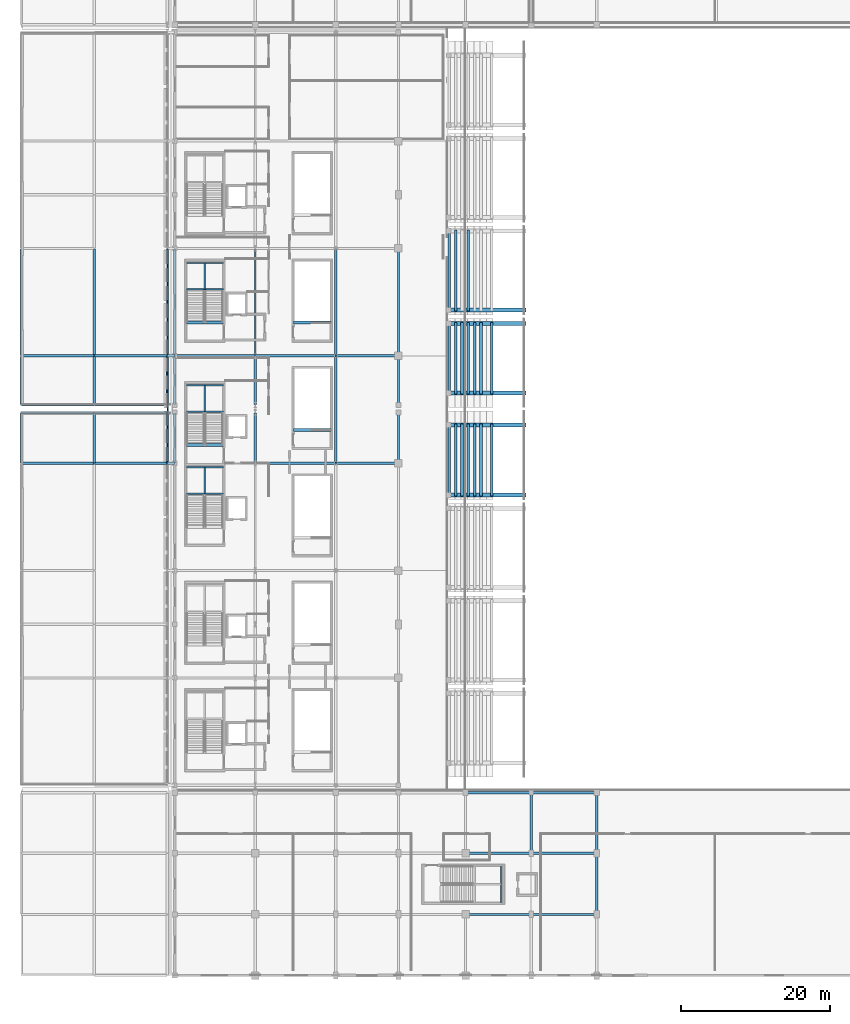
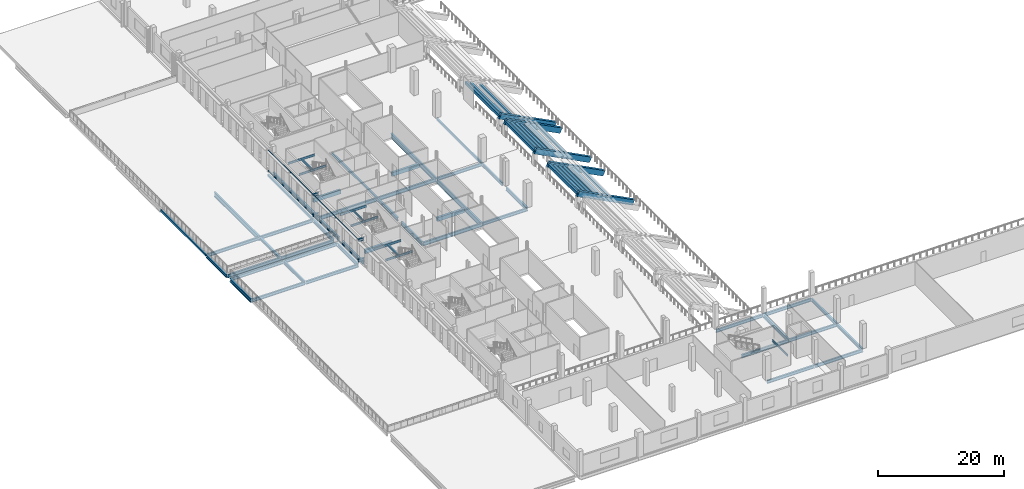
# One storey, part 15 of 74: 82 beams, 4 members.
"""IFC4 building model written with IfcOpenShell, lengths in metres."""

from ifc_helpers import new_model, si_unit, direction, frame, origin, origin_2d, place, context, subcontext, project, spatial, rectangle, hollow_rectangle, i_section, extrude, material, material_profile, profile_set, type_object, element, save


model = new_model("IFC4")

# Units and contexts
model_context = context("Model", 3, precision=1e-05, world=origin(), true_north=direction((0.0, 1.0)))
body_context = subcontext(model_context, "Body", "Model", "MODEL_VIEW")
ifc_project = project(units=[si_unit("LENGTHUNIT", "METRE"), si_unit("AREAUNIT", "SQUARE_METRE"), si_unit("VOLUMEUNIT", "CUBIC_METRE"), si_unit("PLANEANGLEUNIT", "RADIAN"), si_unit("MASSUNIT", "GRAM", prefix="KILO")], contexts=[model_context])

# Site, building, storey
site_placement = place(None, origin())
site = spatial("IfcSite", under=ifc_project, at=site_placement, CompositionType="ELEMENT")
building_placement = place(site_placement, origin())
building = spatial("IfcBuilding", under=site, at=building_placement, Name="Koshinbarg Plaza Stadium", CompositionType="ELEMENT")
storey_placement = place(building_placement, frame((0.0, 0.0, 15.0)))
storey = spatial("IfcBuildingStorey", under=building, at=storey_placement, Name="L03", CompositionType="ELEMENT", Elevation=15.0)

# Beams
ifc_material_1 = material(Name="Steel S355", Category="steel")
ifc_material_profile_1 = material_profile(ifc_material_1, i_section(OverallWidth=0.300048828125, OverallDepth=0.5, WebThickness=0.014404296875, FlangeThickness=0.028076171875, at=origin_2d()), Name="HEB 500")
ifc_profile_set_1 = profile_set([ifc_material_profile_1], Name="Steel S355")
beam_type_1 = type_object("IfcBeamType", Name="BM-CANOPY-CANT", PredefinedType="BEAM", material=ifc_profile_set_1)
for number, where, z_axis, x_axis, name in (
    (1, (24.60009765625, 68.699951171875, 0.25), (-1.0, 0.0, 0.0), (0.0, -1.0, 0.0), "Outer screen cantilever outrigger W-L03-Y04"),
    (2, (24.60009765625, 68.699951171875, 4.179931640625), (-1.0, 0.0, 0.0), (0.0, -1.0, 0.0), "Outer screen cantilever outrigger W-L03-Y04"),
    (3, (24.60009765625, 83.10009765625, 0.25), (-1.0, 0.0, 0.0), (0.0, -1.0, 0.0), "Outer screen cantilever outrigger W-L03-Y05"),
    (4, (24.60009765625, 83.10009765625, 4.179931640625), (-1.0, 0.0, 0.0), (0.0, -1.0, 0.0), "Outer screen cantilever outrigger W-L03-Y05"),
):
    element("IfcBeam", number, at=place(storey_placement, frame(where, z_axis=z_axis, x_axis=x_axis)), inside=storey, type_object=beam_type_1, Name=name, PredefinedType="BEAM", context=body_context, shape_type="SweptSolid", body=[
        extrude(i_section(OverallWidth=0.300048828125, OverallDepth=0.5, WebThickness=0.014404296875, FlangeThickness=0.028076171875, at=origin_2d()), origin(), (0.0, 0.0, 1.0), 1.030029296875),
    ])
ifc_material_2 = material(Name="Concrete C40/50", Category="concrete")
ifc_material_profile_2 = material_profile(ifc_material_2, rectangle(XDim=0.550048828125, YDim=1.0, at=origin_2d()), Name="RC 550x1000")
ifc_profile_set_2 = profile_set([ifc_material_profile_2], Name="Concrete C40/50")
beam_type_2 = type_object("IfcBeamType", Name="BM-RAKER-UT", PredefinedType="USERDEFINED", material=ifc_profile_set_2)
for number, where, z_axis, x_axis, name in (
    (5, (71.4599609375, 64.449951171875, -2.54296875), (-0.888953125137, 0.0, 0.457998189198), (0.0, -1.0, 0.0), "Upper cantilevered bowl raker girder RAKER UT-W04-L"),
    (6, (71.4599609375, 73.800048828125, -2.54296875), (-0.888953125137, 0.0, 0.457998189198), (0.0, -1.0, 0.0), "Upper cantilevered bowl raker girder RAKER UT-W04-R"),
    (7, (71.4599609375, 78.10009765625, -2.54296875), (-0.888953125137, 0.0, 0.457998189198), (0.0, -1.0, 0.0), "Upper cantilevered bowl raker girder RAKER UT-W05-L"),
    (8, (71.4599609375, 87.449951171875, -2.54296875), (-0.888953125137, 0.0, 0.457998189198), (0.0, -1.0, 0.0), "Upper cantilevered bowl raker girder RAKER UT-W05-R"),
    (9, (71.4599609375, 89.25, -2.54296875), (-0.888953125137, 0.0, 0.457998189198), (0.0, -1.0, 0.0), "Upper cantilevered bowl raker girder RAKER UT-W06-L"),
):
    element("IfcBeam", number, at=place(storey_placement, frame(where, z_axis=z_axis, x_axis=x_axis)), inside=storey, type_object=beam_type_2, Name=name, ObjectType="GIRDER", PredefinedType="USERDEFINED", context=body_context, shape_type="SweptSolid", body=[
        extrude(rectangle(XDim=0.550048828125, YDim=1.0, at=origin_2d()), origin(), (0.0, 0.0, 1.0), 11.384033203125),
    ])
ifc_material_profile_3 = material_profile(ifc_material_2, rectangle(XDim=0.35009765625, YDim=0.60009765625, at=origin_2d()), Name="RC 350x600")
ifc_profile_set_3 = profile_set([ifc_material_profile_3], Name="Concrete C40/50")
beam_type_3 = type_object("IfcBeamType", Name="BM-RCG-01", PredefinedType="SPANDREL", material=ifc_profile_set_3)
for number, where, z_axis, x_axis, name in (
    (10, (67.1298828125, 64.300048828125, -0.080078125), (0.0, 1.0, 0.0), (-1.0, 0.0, 0.0), "Upper tier seat bearer UT-W04-R06"),
    (11, (65.669921875, 64.300048828125, 0.360107421875), (0.0, 1.0, 0.0), (-1.0, 0.0, 0.0), "Upper tier seat bearer UT-W04-R07"),
    (12, (64.820068359375, 64.300048828125, 0.800048828125), (0.0, 1.0, 0.0), (-1.0, 0.0, 0.0), "Upper tier seat bearer UT-W04-R08"),
    (13, (63.969970703125, 64.300048828125, 1.239990234375), (0.0, 1.0, 0.0), (-1.0, 0.0, 0.0), "Upper tier seat bearer UT-W04-R09"),
    (14, (63.1201171875, 64.300048828125, 1.679931640625), (0.0, 1.0, 0.0), (-1.0, 0.0, 0.0), "Upper tier seat bearer UT-W04-R10"),
    (15, (62.27001953125, 64.300048828125, 2.1201171875), (0.0, 1.0, 0.0), (-1.0, 0.0, 0.0), "Upper tier seat bearer UT-W04-R11"),
    (16, (61.419921875, 64.300048828125, 2.56005859375), (0.0, 1.0, 0.0), (-1.0, 0.0, 0.0), "Upper tier seat bearer UT-W04-R12"),
):
    element("IfcBeam", number, at=place(storey_placement, frame(where, z_axis=z_axis, x_axis=x_axis)), inside=storey, type_object=beam_type_3, Name=name, PredefinedType="SPANDREL", context=body_context, shape_type="SweptSolid", body=[
        extrude(rectangle(XDim=0.35009765625, YDim=0.60009765625, at=origin_2d()), origin(), (0.0, 0.0, 1.0), 9.64990234375),
    ])
for number, where, z_axis, x_axis, name in (
    (17, (67.1298828125, 77.949951171875, -0.080078125), (0.0, 1.0, 0.0), (-1.0, 0.0, 0.0), "Upper tier seat bearer UT-W05-R06"),
    (18, (65.669921875, 77.949951171875, 0.360107421875), (0.0, 1.0, 0.0), (-1.0, 0.0, 0.0), "Upper tier seat bearer UT-W05-R07"),
    (19, (64.820068359375, 77.949951171875, 0.800048828125), (0.0, 1.0, 0.0), (-1.0, 0.0, 0.0), "Upper tier seat bearer UT-W05-R08"),
    (20, (63.969970703125, 77.949951171875, 1.239990234375), (0.0, 1.0, 0.0), (-1.0, 0.0, 0.0), "Upper tier seat bearer UT-W05-R09"),
    (21, (63.1201171875, 77.949951171875, 1.679931640625), (0.0, 1.0, 0.0), (-1.0, 0.0, 0.0), "Upper tier seat bearer UT-W05-R10"),
    (22, (62.27001953125, 77.949951171875, 2.1201171875), (0.0, 1.0, 0.0), (-1.0, 0.0, 0.0), "Upper tier seat bearer UT-W05-R11"),
    (23, (61.419921875, 77.949951171875, 2.56005859375), (0.0, 1.0, 0.0), (-1.0, 0.0, 0.0), "Upper tier seat bearer UT-W05-R12"),
):
    element("IfcBeam", number, at=place(storey_placement, frame(where, z_axis=z_axis, x_axis=x_axis)), inside=storey, type_object=beam_type_3, Name=name, PredefinedType="SPANDREL", context=body_context, shape_type="SweptSolid", body=[
        extrude(rectangle(XDim=0.35009765625, YDim=0.60009765625, at=origin_2d()), origin(), (0.0, 0.0, 1.0), 9.650146484375),
    ])
for number, where, z_axis, x_axis, name in (
    (24, (63.969970703125, 89.10009765625, 1.239990234375), (0.0, 1.0, 0.0), (-1.0, 0.0, 0.0), "Upper tier seat bearer UT-W06-R09"),
    (25, (62.27001953125, 89.10009765625, 2.1201171875), (0.0, 1.0, 0.0), (-1.0, 0.0, 0.0), "Upper tier seat bearer UT-W06-R11"),
    (26, (61.419921875, 89.10009765625, 2.56005859375), (0.0, 1.0, 0.0), (-1.0, 0.0, 0.0), "Upper tier seat bearer UT-W06-R12"),
):
    element("IfcBeam", number, at=place(storey_placement, frame(where, z_axis=z_axis, x_axis=x_axis)), inside=storey, type_object=beam_type_3, Name=name, PredefinedType="SPANDREL", context=body_context, shape_type="SweptSolid", body=[
        extrude(rectangle(XDim=0.35009765625, YDim=0.60009765625, at=origin_2d()), origin(), (0.0, 0.0, 1.0), 10.89990234375),
    ])
ifc_material_profile_4 = material_profile(ifc_material_2, rectangle(XDim=0.39990234375, YDim=0.75, at=origin_2d()), Name="RC 400x750")
ifc_profile_set_4 = profile_set([ifc_material_profile_4], Name="Concrete C40/50")
beam_type_4 = type_object("IfcBeamType", Name="BM-RCG-03", PredefinedType="USERDEFINED", material=ifc_profile_set_4)
for number, where, z_axis, x_axis, name in (
    (27, (26.14990234375, 71.159912109375, -0.375), (1.0, 0.0, 0.0), (0.0, 1.0, 0.0), "L03 stair landing header beam C04"),
    (28, (26.14990234375, 87.56005859375, -0.375), (1.0, 0.0, 0.0), (0.0, 1.0, 0.0), "L03 stair landing header beam C05"),
):
    element("IfcBeam", number, at=place(storey_placement, frame(where, z_axis=z_axis, x_axis=x_axis)), inside=storey, type_object=beam_type_4, Name=name, ObjectType="GIRDER", PredefinedType="USERDEFINED", context=body_context, shape_type="SweptSolid", body=[
        extrude(rectangle(XDim=0.39990234375, YDim=0.75, at=origin_2d()), origin(), (0.0, 0.0, 1.0), 4.97021484375),
    ])
for number, where, z_axis, x_axis, name in (
    (29, (40.550048828125, 73.159912109375, -0.375), (1.0, 0.0, 0.0), (0.0, 1.0, 0.0), "L03 stair landing header beam VX04"),
    (30, (40.550048828125, 87.56005859375, -0.375), (1.0, 0.0, 0.0), (0.0, 1.0, 0.0), "L03 stair landing header beam VX05"),
):
    element("IfcBeam", number, at=place(storey_placement, frame(where, z_axis=z_axis, x_axis=x_axis)), inside=storey, type_object=beam_type_4, Name=name, ObjectType="GIRDER", PredefinedType="USERDEFINED", context=body_context, shape_type="SweptSolid", body=[
        extrude(rectangle(XDim=0.39990234375, YDim=0.75, at=origin_2d()), origin(), (0.0, 0.0, 1.0), 4.969970703125),
    ])
ifc_material_profile_5 = material_profile(ifc_material_1, i_section(OverallWidth=0.179931640625, OverallDepth=0.39990234375, WebThickness=0.008544921875, FlangeThickness=0.013427734375, at=origin_2d()), Name="IPE 400")
ifc_profile_set_5 = profile_set([ifc_material_profile_5], Name="Steel S355")
beam_type_5 = type_object("IfcBeamType", Name="BM-SBM-01", PredefinedType="BEAM", material=ifc_profile_set_5)
for number, where, z_axis, x_axis, name in (
    (31, (26.14990234375, 64.610107421875, 1.8798828125), (1.0, 0.0, 0.0), (0.0, 1.0, 0.0), "L03 Protected Exit Stair C03 landing trimmer beam 1"),
    (32, (26.14990234375, 68.14990234375, 1.8798828125), (1.0, 0.0, 0.0), (0.0, 1.0, 0.0), "L03 Protected Exit Stair C03 landing trimmer beam 2"),
):
    element("IfcBeam", number, at=place(storey_placement, frame(where, z_axis=z_axis, x_axis=x_axis)), inside=storey, type_object=beam_type_5, Name=name, PredefinedType="BEAM", context=body_context, shape_type="SweptSolid", body=[
        extrude(i_section(OverallWidth=0.179931640625, OverallDepth=0.39990234375, WebThickness=0.008544921875, FlangeThickness=0.013427734375, at=origin_2d()), origin(), (0.0, 0.0, 1.0), 4.97021484375),
    ])
beam_1_placement = place(storey_placement, frame((28.635009765625, 64.610107421875, 1.8798828125), z_axis=(0.0, 1.0, 0.0), x_axis=(-1.0, 0.0, 0.0)))
element("IfcBeam", 33, at=beam_1_placement, inside=storey, type_object=beam_type_5, Name="L03 Protected Exit Stair C03 landing trimmer beam 3", PredefinedType="BEAM", context=body_context, shape_type="SweptSolid", body=[
    extrude(i_section(OverallWidth=0.179931640625, OverallDepth=0.39990234375, WebThickness=0.008544921875, FlangeThickness=0.013427734375, at=origin_2d()), origin(), (0.0, 0.0, 1.0), 3.539794921875),
])
for number, where, z_axis, x_axis, name in (
    (34, (26.14990234375, 75.610107421875, 1.8798828125), (1.0, 0.0, 0.0), (0.0, 1.0, 0.0), "L03 Protected Exit Stair C04 landing trimmer beam 1"),
    (35, (26.14990234375, 79.14990234375, 1.8798828125), (1.0, 0.0, 0.0), (0.0, 1.0, 0.0), "L03 Protected Exit Stair C04 landing trimmer beam 2"),
):
    element("IfcBeam", number, at=place(storey_placement, frame(where, z_axis=z_axis, x_axis=x_axis)), inside=storey, type_object=beam_type_5, Name=name, PredefinedType="BEAM", context=body_context, shape_type="SweptSolid", body=[
        extrude(i_section(OverallWidth=0.179931640625, OverallDepth=0.39990234375, WebThickness=0.008544921875, FlangeThickness=0.013427734375, at=origin_2d()), origin(), (0.0, 0.0, 1.0), 4.97021484375),
    ])
beam_2_placement = place(storey_placement, frame((28.635009765625, 75.610107421875, 1.8798828125), z_axis=(0.0, 1.0, 0.0), x_axis=(-1.0, 0.0, 0.0)))
element("IfcBeam", 36, at=beam_2_placement, inside=storey, type_object=beam_type_5, Name="L03 Protected Exit Stair C04 landing trimmer beam 3", PredefinedType="BEAM", context=body_context, shape_type="SweptSolid", body=[
    extrude(i_section(OverallWidth=0.179931640625, OverallDepth=0.39990234375, WebThickness=0.008544921875, FlangeThickness=0.013427734375, at=origin_2d()), origin(), (0.0, 0.0, 1.0), 3.539794921875),
])
for number, where, z_axis, x_axis, name in (
    (37, (26.14990234375, 92.010009765625, 1.8798828125), (1.0, 0.0, 0.0), (0.0, 1.0, 0.0), "L03 Protected Exit Stair C05 landing trimmer beam 1"),
    (38, (26.14990234375, 95.550048828125, 1.8798828125), (1.0, 0.0, 0.0), (0.0, 1.0, 0.0), "L03 Protected Exit Stair C05 landing trimmer beam 2"),
):
    element("IfcBeam", number, at=place(storey_placement, frame(where, z_axis=z_axis, x_axis=x_axis)), inside=storey, type_object=beam_type_5, Name=name, PredefinedType="BEAM", context=body_context, shape_type="SweptSolid", body=[
        extrude(i_section(OverallWidth=0.179931640625, OverallDepth=0.39990234375, WebThickness=0.008544921875, FlangeThickness=0.013427734375, at=origin_2d()), origin(), (0.0, 0.0, 1.0), 4.97021484375),
    ])
beam_3_placement = place(storey_placement, frame((28.635009765625, 92.010009765625, 1.8798828125), z_axis=(0.0, 1.0, 0.0), x_axis=(-1.0, 0.0, 0.0)))
element("IfcBeam", 39, at=beam_3_placement, inside=storey, type_object=beam_type_5, Name="L03 Protected Exit Stair C05 landing trimmer beam 3", PredefinedType="BEAM", context=body_context, shape_type="SweptSolid", body=[
    extrude(i_section(OverallWidth=0.179931640625, OverallDepth=0.39990234375, WebThickness=0.008544921875, FlangeThickness=0.013427734375, at=origin_2d()), origin(), (0.0, 0.0, 1.0), 3.5400390625),
])
beam_4_placement = place(storey_placement, frame((68.35009765625, 9.75, 1.8798828125), z_axis=(0.0, 1.0, 0.0), x_axis=(-1.0, 0.0, 0.0)))
element("IfcBeam", 40, at=beam_4_placement, inside=storey, type_object=beam_type_5, Name="L03 Protected Exit Stair C13 landing trimmer beam 2", PredefinedType="BEAM", context=body_context, shape_type="SweptSolid", body=[
    extrude(i_section(OverallWidth=0.179931640625, OverallDepth=0.39990234375, WebThickness=0.008544921875, FlangeThickness=0.013427734375, at=origin_2d()), origin(), (0.0, 0.0, 1.0), 4.969970703125),
])
ifc_material_profile_6 = material_profile(ifc_material_1, i_section(OverallWidth=0.300048828125, OverallDepth=0.5, WebThickness=0.014404296875, FlangeThickness=0.028076171875, at=origin_2d()), Name="HEB 500")
ifc_profile_set_6 = profile_set([ifc_material_profile_6], Name="Steel S355")
beam_type_6 = type_object("IfcBeamType", Name="BM-SGIR-01", PredefinedType="USERDEFINED", material=ifc_profile_set_6)
for number, where, z_axis, x_axis, name in (
    (41, (13.800048828125, 76.56005859375, -0.610107421875), (0.0, 1.0, 0.0), (-1.0, 0.0, 0.0), "L03 Y girder 3/L-M"),
    (42, (24.60009765625, 76.56005859375, -0.570068359375), (0.0, 1.0, 0.0), (-1.0, 0.0, 0.0), "L03 Y girder 5/L-M"),
):
    element("IfcBeam", number, at=place(storey_placement, frame(where, z_axis=z_axis, x_axis=x_axis)), inside=storey, type_object=beam_type_6, Name=name, ObjectType="GIRDER", PredefinedType="USERDEFINED", context=body_context, shape_type="SweptSolid", body=[
        extrude(i_section(OverallWidth=0.300048828125, OverallDepth=0.5, WebThickness=0.014404296875, FlangeThickness=0.028076171875, at=origin_2d()), origin(), (0.0, 0.0, 1.0), 6.47998046875),
    ])
ifc_material_profile_7 = material_profile(ifc_material_1, i_section(OverallWidth=0.300048828125, OverallDepth=0.60009765625, WebThickness=0.015380859375, FlangeThickness=0.030029296875, at=origin_2d()), Name="HEB 600")
ifc_profile_set_7 = profile_set([ifc_material_profile_7], Name="Steel S355")
beam_type_7 = type_object("IfcBeamType", Name="BM-SGIR-02", PredefinedType="USERDEFINED", material=ifc_profile_set_7)
beam_5_placement = place(storey_placement, frame((63.659912109375, 8.199951171875, -0.6201171875), z_axis=(1.0, 0.0, 0.0), x_axis=(0.0, 1.0, 0.0)))
element("IfcBeam", 43, at=beam_5_placement, inside=storey, type_object=beam_type_7, Name="L03 X girder B/9-10", ObjectType="GIRDER", PredefinedType="USERDEFINED", context=body_context, shape_type="SweptSolid", body=[
    extrude(i_section(OverallWidth=0.300048828125, OverallDepth=0.60009765625, WebThickness=0.015380859375, FlangeThickness=0.030029296875, at=origin_2d()), origin(), (0.0, 0.0, 1.0), 8.68017578125),
])
beam_6_placement = place(storey_placement, frame((72.4599609375, 8.199951171875, -0.6201171875), z_axis=(1.0, 0.0, 0.0), x_axis=(0.0, 1.0, 0.0)))
element("IfcBeam", 44, at=beam_6_placement, inside=storey, type_object=beam_type_7, Name="L03 X girder B/10-11", ObjectType="GIRDER", PredefinedType="USERDEFINED", context=body_context, shape_type="SweptSolid", body=[
    extrude(i_section(OverallWidth=0.300048828125, OverallDepth=0.60009765625, WebThickness=0.015380859375, FlangeThickness=0.030029296875, at=origin_2d()), origin(), (0.0, 0.0, 1.0), 8.679931640625),
])
beam_7_placement = place(storey_placement, frame((63.659912109375, 16.39990234375, -0.6201171875), z_axis=(1.0, 0.0, 0.0), x_axis=(0.0, 1.0, 0.0)))
element("IfcBeam", 45, at=beam_7_placement, inside=storey, type_object=beam_type_7, Name="L03 X girder C/9-10", ObjectType="GIRDER", PredefinedType="USERDEFINED", context=body_context, shape_type="SweptSolid", body=[
    extrude(i_section(OverallWidth=0.300048828125, OverallDepth=0.60009765625, WebThickness=0.015380859375, FlangeThickness=0.030029296875, at=origin_2d()), origin(), (0.0, 0.0, 1.0), 8.68017578125),
])
beam_8_placement = place(storey_placement, frame((72.4599609375, 16.39990234375, -0.6201171875), z_axis=(1.0, 0.0, 0.0), x_axis=(0.0, 1.0, 0.0)))
element("IfcBeam", 46, at=beam_8_placement, inside=storey, type_object=beam_type_7, Name="L03 X girder C/10-11", ObjectType="GIRDER", PredefinedType="USERDEFINED", context=body_context, shape_type="SweptSolid", body=[
    extrude(i_section(OverallWidth=0.300048828125, OverallDepth=0.60009765625, WebThickness=0.015380859375, FlangeThickness=0.030029296875, at=origin_2d()), origin(), (0.0, 0.0, 1.0), 8.679931640625),
])
beam_9_placement = place(storey_placement, frame((63.659912109375, 24.5, -0.6201171875), z_axis=(1.0, 0.0, 0.0), x_axis=(0.0, 1.0, 0.0)))
element("IfcBeam", 47, at=beam_9_placement, inside=storey, type_object=beam_type_7, Name="L03 X girder D/9-10", ObjectType="GIRDER", PredefinedType="USERDEFINED", context=body_context, shape_type="SweptSolid", body=[
    extrude(i_section(OverallWidth=0.300048828125, OverallDepth=0.60009765625, WebThickness=0.015380859375, FlangeThickness=0.030029296875, at=origin_2d()), origin(), (0.0, 0.0, 1.0), 8.68017578125),
])
beam_10_placement = place(storey_placement, frame((72.4599609375, 24.5, -0.6201171875), z_axis=(1.0, 0.0, 0.0), x_axis=(0.0, 1.0, 0.0)))
element("IfcBeam", 48, at=beam_10_placement, inside=storey, type_object=beam_type_7, Name="L03 X girder D/10-11", ObjectType="GIRDER", PredefinedType="USERDEFINED", context=body_context, shape_type="SweptSolid", body=[
    extrude(i_section(OverallWidth=0.300048828125, OverallDepth=0.60009765625, WebThickness=0.015380859375, FlangeThickness=0.030029296875, at=origin_2d()), origin(), (0.0, 0.0, 1.0), 8.679931640625),
])
for number, where, z_axis, x_axis, name in (
    (49, (4.06005859375, 68.699951171875, -0.659912109375), (1.0, 0.0, 0.0), (0.0, 1.0, 0.0), "L03 X girder J/2-3"),
    (50, (13.860107421875, 68.699951171875, -0.659912109375), (1.0, 0.0, 0.0), (0.0, 1.0, 0.0), "L03 X girder J/3-4"),
):
    element("IfcBeam", number, at=place(storey_placement, frame(where, z_axis=z_axis, x_axis=x_axis)), inside=storey, type_object=beam_type_7, Name=name, ObjectType="GIRDER", PredefinedType="USERDEFINED", context=body_context, shape_type="SweptSolid", body=[
        extrude(i_section(OverallWidth=0.300048828125, OverallDepth=0.60009765625, WebThickness=0.015380859375, FlangeThickness=0.030029296875, at=origin_2d()), origin(), (0.0, 0.0, 1.0), 9.679931640625),
    ])
beam_11_placement = place(storey_placement, frame((46.260009765625, 68.699951171875, -0.6201171875), z_axis=(1.0, 0.0, 0.0), x_axis=(0.0, 1.0, 0.0)))
element("IfcBeam", 51, at=beam_11_placement, inside=storey, type_object=beam_type_7, Name="L03 X girder J/7-8", ObjectType="GIRDER", PredefinedType="USERDEFINED", context=body_context, shape_type="SweptSolid", body=[
    extrude(i_section(OverallWidth=0.300048828125, OverallDepth=0.60009765625, WebThickness=0.015380859375, FlangeThickness=0.030029296875, at=origin_2d()), origin(), (0.0, 0.0, 1.0), 8.280029296875),
])
for number, where, z_axis, x_axis, name in (
    (52, (4.06005859375, 75.5, -0.659912109375), (1.0, 0.0, 0.0), (0.0, 1.0, 0.0), "L03 X girder K/2-3"),
    (53, (13.860107421875, 75.5, -0.659912109375), (1.0, 0.0, 0.0), (0.0, 1.0, 0.0), "L03 X girder K/3-4"),
    (54, (4.06005859375, 76.5, -0.659912109375), (1.0, 0.0, 0.0), (0.0, 1.0, 0.0), "L03 X girder L/2-3"),
    (55, (13.860107421875, 76.5, -0.659912109375), (1.0, 0.0, 0.0), (0.0, 1.0, 0.0), "L03 X girder L/3-4"),
    (56, (4.06005859375, 83.10009765625, -0.659912109375), (1.0, 0.0, 0.0), (0.0, 1.0, 0.0), "L03 X girder M/2-3"),
    (57, (13.860107421875, 83.10009765625, -0.659912109375), (1.0, 0.0, 0.0), (0.0, 1.0, 0.0), "L03 X girder M/3-4"),
):
    element("IfcBeam", number, at=place(storey_placement, frame(where, z_axis=z_axis, x_axis=x_axis)), inside=storey, type_object=beam_type_7, Name=name, ObjectType="GIRDER", PredefinedType="USERDEFINED", context=body_context, shape_type="SweptSolid", body=[
        extrude(i_section(OverallWidth=0.300048828125, OverallDepth=0.60009765625, WebThickness=0.015380859375, FlangeThickness=0.030029296875, at=origin_2d()), origin(), (0.0, 0.0, 1.0), 9.679931640625),
    ])
beam_12_placement = place(storey_placement, frame((46.260009765625, 83.10009765625, -0.6201171875), z_axis=(1.0, 0.0, 0.0), x_axis=(0.0, 1.0, 0.0)))
element("IfcBeam", 58, at=beam_12_placement, inside=storey, type_object=beam_type_7, Name="L03 X girder M/7-8", ObjectType="GIRDER", PredefinedType="USERDEFINED", context=body_context, shape_type="SweptSolid", body=[
    extrude(i_section(OverallWidth=0.300048828125, OverallDepth=0.60009765625, WebThickness=0.015380859375, FlangeThickness=0.030029296875, at=origin_2d()), origin(), (0.0, 0.0, 1.0), 8.280029296875),
])
beam_13_placement = place(storey_placement, frame((4.0, 76.56005859375, -0.659912109375), z_axis=(0.0, 1.0, 0.0), x_axis=(-1.0, 0.0, 0.0)))
element("IfcBeam", 59, at=beam_13_placement, inside=storey, type_object=beam_type_7, Name="L03 Y girder 2/L-M", ObjectType="GIRDER", PredefinedType="USERDEFINED", context=body_context, shape_type="SweptSolid", body=[
    extrude(i_section(OverallWidth=0.300048828125, OverallDepth=0.60009765625, WebThickness=0.015380859375, FlangeThickness=0.030029296875, at=origin_2d()), origin(), (0.0, 0.0, 1.0), 6.47998046875),
])
beam_14_placement = place(storey_placement, frame((13.800048828125, 68.760009765625, -0.659912109375), z_axis=(0.0, 1.0, 0.0), x_axis=(-1.0, 0.0, 0.0)))
element("IfcBeam", 60, at=beam_14_placement, inside=storey, type_object=beam_type_7, Name="L03 Y girder 3/J-K", ObjectType="GIRDER", PredefinedType="USERDEFINED", context=body_context, shape_type="SweptSolid", body=[
    extrude(i_section(OverallWidth=0.300048828125, OverallDepth=0.60009765625, WebThickness=0.015380859375, FlangeThickness=0.030029296875, at=origin_2d()), origin(), (0.0, 0.0, 1.0), 6.679931640625),
])
beam_15_placement = place(storey_placement, frame((23.60009765625, 76.56005859375, -0.659912109375), z_axis=(0.0, 1.0, 0.0), x_axis=(-1.0, 0.0, 0.0)))
element("IfcBeam", 61, at=beam_15_placement, inside=storey, type_object=beam_type_7, Name="L03 Y girder 4/L-M", ObjectType="GIRDER", PredefinedType="USERDEFINED", context=body_context, shape_type="SweptSolid", body=[
    extrude(i_section(OverallWidth=0.300048828125, OverallDepth=0.60009765625, WebThickness=0.015380859375, FlangeThickness=0.030029296875, at=origin_2d()), origin(), (0.0, 0.0, 1.0), 6.47998046875),
])
beam_16_placement = place(storey_placement, frame((24.60009765625, 68.760009765625, -0.6201171875), z_axis=(0.0, 1.0, 0.0), x_axis=(-1.0, 0.0, 0.0)))
element("IfcBeam", 62, at=beam_16_placement, inside=storey, type_object=beam_type_7, Name="L03 Y girder 5/J-K", ObjectType="GIRDER", PredefinedType="USERDEFINED", context=body_context, shape_type="SweptSolid", body=[
    extrude(i_section(OverallWidth=0.300048828125, OverallDepth=0.60009765625, WebThickness=0.015380859375, FlangeThickness=0.030029296875, at=origin_2d()), origin(), (0.0, 0.0, 1.0), 6.679931640625),
])
for number, where, z_axis, x_axis, name in (
    (63, (35.39990234375, 76.56005859375, -0.6201171875), (0.0, 1.0, 0.0), (-1.0, 0.0, 0.0), "L03 Y girder 6/L-M"),
    (64, (54.60009765625, 76.56005859375, -0.6201171875), (0.0, 1.0, 0.0), (-1.0, 0.0, 0.0), "L03 Y girder 8/L-M"),
):
    element("IfcBeam", number, at=place(storey_placement, frame(where, z_axis=z_axis, x_axis=x_axis)), inside=storey, type_object=beam_type_7, Name=name, ObjectType="GIRDER", PredefinedType="USERDEFINED", context=body_context, shape_type="SweptSolid", body=[
        extrude(i_section(OverallWidth=0.300048828125, OverallDepth=0.60009765625, WebThickness=0.015380859375, FlangeThickness=0.030029296875, at=origin_2d()), origin(), (0.0, 0.0, 1.0), 6.47998046875),
    ])
beam_17_placement = place(storey_placement, frame((81.199951171875, 8.260009765625, -0.6201171875), z_axis=(0.0, 1.0, 0.0), x_axis=(-1.0, 0.0, 0.0)))
element("IfcBeam", 65, at=beam_17_placement, inside=storey, type_object=beam_type_7, Name="L03 Y girder 11/B-C", ObjectType="GIRDER", PredefinedType="USERDEFINED", context=body_context, shape_type="SweptSolid", body=[
    extrude(i_section(OverallWidth=0.300048828125, OverallDepth=0.60009765625, WebThickness=0.015380859375, FlangeThickness=0.030029296875, at=origin_2d()), origin(), (0.0, 0.0, 1.0), 8.080078125),
])
beam_18_placement = place(storey_placement, frame((81.199951171875, 16.4599609375, -0.6201171875), z_axis=(0.0, 1.0, 0.0), x_axis=(-1.0, 0.0, 0.0)))
element("IfcBeam", 66, at=beam_18_placement, inside=storey, type_object=beam_type_7, Name="L03 Y girder 11/C-D", ObjectType="GIRDER", PredefinedType="USERDEFINED", context=body_context, shape_type="SweptSolid", body=[
    extrude(i_section(OverallWidth=0.300048828125, OverallDepth=0.60009765625, WebThickness=0.015380859375, FlangeThickness=0.030029296875, at=origin_2d()), origin(), (0.0, 0.0, 1.0), 7.97998046875),
])
ifc_material_profile_8 = material_profile(ifc_material_1, i_section(OverallWidth=0.300048828125, OverallDepth=0.699951171875, WebThickness=0.01708984375, FlangeThickness=0.031982421875, at=origin_2d()), Name="HEB 700")
ifc_profile_set_8 = profile_set([ifc_material_profile_8], Name="Steel S355")
beam_type_8 = type_object("IfcBeamType", Name="BM-SGIR-03", PredefinedType="USERDEFINED", material=ifc_profile_set_8)
beam_19_placement = place(storey_placement, frame((35.4599609375, 68.699951171875, -0.669921875), z_axis=(1.0, 0.0, 0.0), x_axis=(0.0, 1.0, 0.0)))
element("IfcBeam", 67, at=beam_19_placement, inside=storey, type_object=beam_type_8, Name="L03 X girder J/6-7", ObjectType="GIRDER", PredefinedType="USERDEFINED", context=body_context, shape_type="SweptSolid", body=[
    extrude(i_section(OverallWidth=0.300048828125, OverallDepth=0.699951171875, WebThickness=0.01708984375, FlangeThickness=0.031982421875, at=origin_2d()), origin(), (0.0, 0.0, 1.0), 10.679931640625),
])
beam_20_placement = place(storey_placement, frame((24.659912109375, 83.10009765625, -0.669921875), z_axis=(1.0, 0.0, 0.0), x_axis=(0.0, 1.0, 0.0)))
element("IfcBeam", 68, at=beam_20_placement, inside=storey, type_object=beam_type_8, Name="L03 X girder M/5-6", ObjectType="GIRDER", PredefinedType="USERDEFINED", context=body_context, shape_type="SweptSolid", body=[
    extrude(i_section(OverallWidth=0.300048828125, OverallDepth=0.699951171875, WebThickness=0.01708984375, FlangeThickness=0.031982421875, at=origin_2d()), origin(), (0.0, 0.0, 1.0), 10.68017578125),
])
beam_21_placement = place(storey_placement, frame((35.4599609375, 83.10009765625, -0.669921875), z_axis=(1.0, 0.0, 0.0), x_axis=(0.0, 1.0, 0.0)))
element("IfcBeam", 69, at=beam_21_placement, inside=storey, type_object=beam_type_8, Name="L03 X girder M/6-7", ObjectType="GIRDER", PredefinedType="USERDEFINED", context=body_context, shape_type="SweptSolid", body=[
    extrude(i_section(OverallWidth=0.300048828125, OverallDepth=0.699951171875, WebThickness=0.01708984375, FlangeThickness=0.031982421875, at=origin_2d()), origin(), (0.0, 0.0, 1.0), 10.679931640625),
])
for number, where, z_axis, x_axis, name in (
    (70, (4.0, 68.760009765625, -0.7099609375), (0.0, 1.0, 0.0), (-1.0, 0.0, 0.0), "L03 Y girder 2/J-K"),
    (71, (23.60009765625, 68.760009765625, -0.7099609375), (0.0, 1.0, 0.0), (-1.0, 0.0, 0.0), "L03 Y girder 4/J-K"),
    (72, (35.39990234375, 68.760009765625, -0.669921875), (0.0, 1.0, 0.0), (-1.0, 0.0, 0.0), "L03 Y girder 6/J-K"),
    (73, (54.60009765625, 68.760009765625, -0.669921875), (0.0, 1.0, 0.0), (-1.0, 0.0, 0.0), "L03 Y girder 8/J-K"),
):
    element("IfcBeam", number, at=place(storey_placement, frame(where, z_axis=z_axis, x_axis=x_axis)), inside=storey, type_object=beam_type_8, Name=name, ObjectType="GIRDER", PredefinedType="USERDEFINED", context=body_context, shape_type="SweptSolid", body=[
        extrude(i_section(OverallWidth=0.300048828125, OverallDepth=0.699951171875, WebThickness=0.01708984375, FlangeThickness=0.031982421875, at=origin_2d()), origin(), (0.0, 0.0, 1.0), 6.679931640625),
    ])
beam_22_placement = place(storey_placement, frame((72.39990234375, 16.4599609375, -0.669921875), z_axis=(0.0, 1.0, 0.0), x_axis=(-1.0, 0.0, 0.0)))
element("IfcBeam", 74, at=beam_22_placement, inside=storey, type_object=beam_type_8, Name="L03 Y girder 10/C-D", ObjectType="GIRDER", PredefinedType="USERDEFINED", context=body_context, shape_type="SweptSolid", body=[
    extrude(i_section(OverallWidth=0.300048828125, OverallDepth=0.699951171875, WebThickness=0.01708984375, FlangeThickness=0.031982421875, at=origin_2d()), origin(), (0.0, 0.0, 1.0), 7.97998046875),
])
ifc_material_profile_9 = material_profile(ifc_material_1, i_section(OverallWidth=0.300048828125, OverallDepth=0.89990234375, WebThickness=0.0185546875, FlangeThickness=0.034912109375, at=origin_2d()), Name="HEB 900")
ifc_profile_set_9 = profile_set([ifc_material_profile_9], Name="Steel S355")
beam_type_9 = type_object("IfcBeamType", Name="BM-SGIR-05", PredefinedType="USERDEFINED", material=ifc_profile_set_9)
for number, where, z_axis, x_axis, name in (
    (75, (13.800048828125, 83.159912109375, -0.81005859375), (0.0, 1.0, 0.0), (-1.0, 0.0, 0.0), "L03 Y girder 3/M-N"),
    (76, (24.60009765625, 83.159912109375, -0.77001953125), (0.0, 1.0, 0.0), (-1.0, 0.0, 0.0), "L03 Y girder 5/M-N"),
    (77, (46.199951171875, 68.760009765625, -0.77001953125), (0.0, 1.0, 0.0), (-1.0, 0.0, 0.0), "L03 Y girder 7/J-M"),
    (78, (46.199951171875, 83.159912109375, -0.77001953125), (0.0, 1.0, 0.0), (-1.0, 0.0, 0.0), "L03 Y girder 7/M-N"),
):
    element("IfcBeam", number, at=place(storey_placement, frame(where, z_axis=z_axis, x_axis=x_axis)), inside=storey, type_object=beam_type_9, Name=name, ObjectType="GIRDER", PredefinedType="USERDEFINED", context=body_context, shape_type="SweptSolid", body=[
        extrude(i_section(OverallWidth=0.300048828125, OverallDepth=0.89990234375, WebThickness=0.0185546875, FlangeThickness=0.034912109375, at=origin_2d()), origin(), (0.0, 0.0, 1.0), 14.280029296875),
    ])
ifc_material_profile_10 = material_profile(ifc_material_1, hollow_rectangle(XDim=0.25, YDim=0.449951171875, WallThickness=0.01611328125, at=origin_2d()), Name="RHS 450x250x16")
ifc_profile_set_10 = profile_set([ifc_material_profile_10], Name="Steel S355")
beam_type_10 = type_object("IfcBeamType", Name="BM-SGIR-06", PredefinedType="USERDEFINED", material=ifc_profile_set_10)
for number, where, z_axis, x_axis, name in (
    (79, (4.0, 83.159912109375, -0.5849609375), (0.0, 1.0, 0.0), (-1.0, 0.0, 0.0), "L03 Y girder 2/M-N"),
    (80, (23.60009765625, 83.159912109375, -0.5849609375), (0.0, 1.0, 0.0), (-1.0, 0.0, 0.0), "L03 Y girder 4/M-N"),
    (81, (35.39990234375, 83.159912109375, -0.544921875), (0.0, 1.0, 0.0), (-1.0, 0.0, 0.0), "L03 Y girder 6/M-N"),
    (82, (54.60009765625, 83.159912109375, -0.544921875), (0.0, 1.0, 0.0), (-1.0, 0.0, 0.0), "L03 Y girder 8/M-N"),
):
    element("IfcBeam", number, at=place(storey_placement, frame(where, z_axis=z_axis, x_axis=x_axis)), inside=storey, type_object=beam_type_10, Name=name, ObjectType="GIRDER", PredefinedType="USERDEFINED", context=body_context, shape_type="SweptSolid", body=[
        extrude(hollow_rectangle(XDim=0.25, YDim=0.449951171875, WallThickness=0.01611328125, at=origin_2d()), origin(), (0.0, 0.0, 1.0), 14.280029296875),
    ])

# Members
ifc_material_profile_11 = material_profile(ifc_material_1, hollow_rectangle(XDim=0.10009765625, YDim=0.199951171875, WallThickness=0.008056640625, at=origin_2d()), Name="RHS 200x100x8")
ifc_profile_set_11 = profile_set([ifc_material_profile_11], Name="Steel S355")
member_type = type_object("IfcMemberType", Name="MB-PURL-03", PredefinedType="PURLIN", material=ifc_profile_set_11)
for number, where, z_axis, x_axis, name in (
    (83, (23.64990234375, 68.699951171875, 0.25), (0.0, 1.0, 0.0), (-1.0, 0.0, 0.0), "L03 outer screen subframe rail W-4-BOT"),
    (84, (23.64990234375, 68.699951171875, 4.179931640625), (0.0, 1.0, 0.0), (-1.0, 0.0, 0.0), "L03 outer screen subframe rail W-4-TOP"),
):
    element("IfcMember", number, at=place(storey_placement, frame(where, z_axis=z_axis, x_axis=x_axis)), inside=storey, type_object=member_type, Name=name, PredefinedType="PURLIN", context=body_context, shape_type="SweptSolid", body=[
        extrude(hollow_rectangle(XDim=0.10009765625, YDim=0.199951171875, WallThickness=0.008056640625, at=origin_2d()), origin(), (0.0, 0.0, 1.0), 14.400146484375),
    ])
for number, where, z_axis, x_axis, name in (
    (85, (23.64990234375, 83.10009765625, 0.25), (0.0, 1.0, 0.0), (-1.0, 0.0, 0.0), "L03 outer screen subframe rail W-5-BOT"),
    (86, (23.64990234375, 83.10009765625, 4.179931640625), (0.0, 1.0, 0.0), (-1.0, 0.0, 0.0), "L03 outer screen subframe rail W-5-TOP"),
):
    element("IfcMember", number, at=place(storey_placement, frame(where, z_axis=z_axis, x_axis=x_axis)), inside=storey, type_object=member_type, Name=name, PredefinedType="PURLIN", context=body_context, shape_type="SweptSolid", body=[
        extrude(hollow_rectangle(XDim=0.10009765625, YDim=0.199951171875, WallThickness=0.008056640625, at=origin_2d()), origin(), (0.0, 0.0, 1.0), 14.39990234375),
    ])

save(model, "model.ifc")
